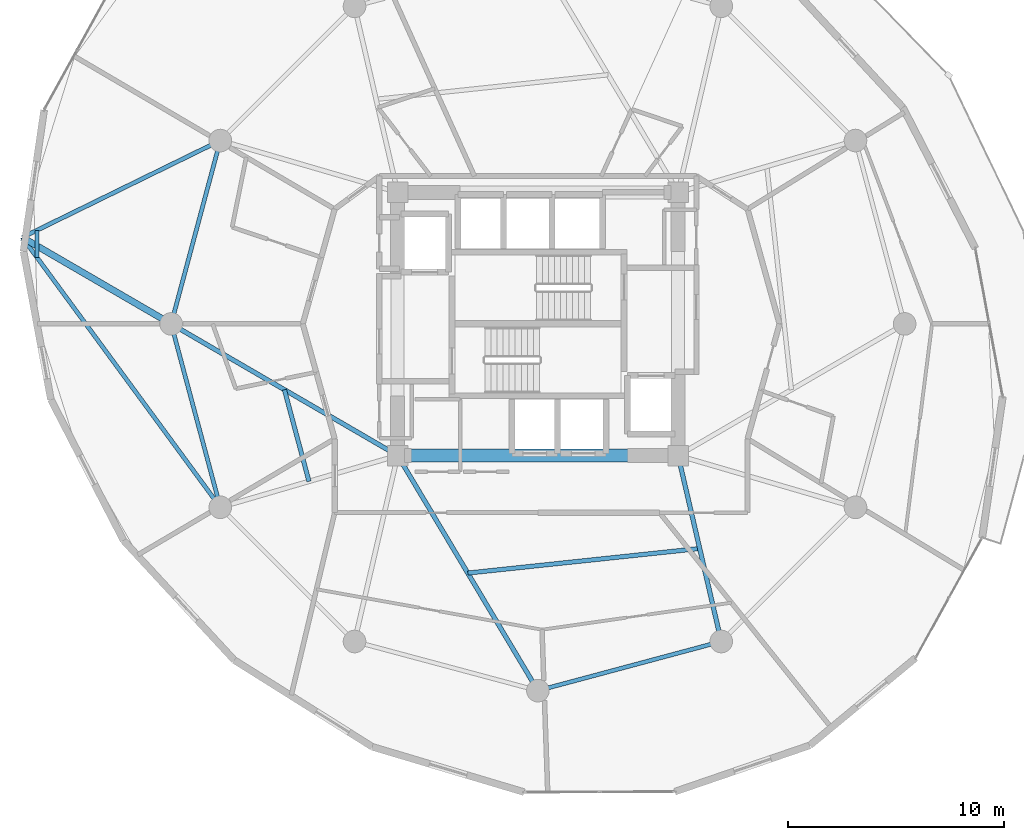
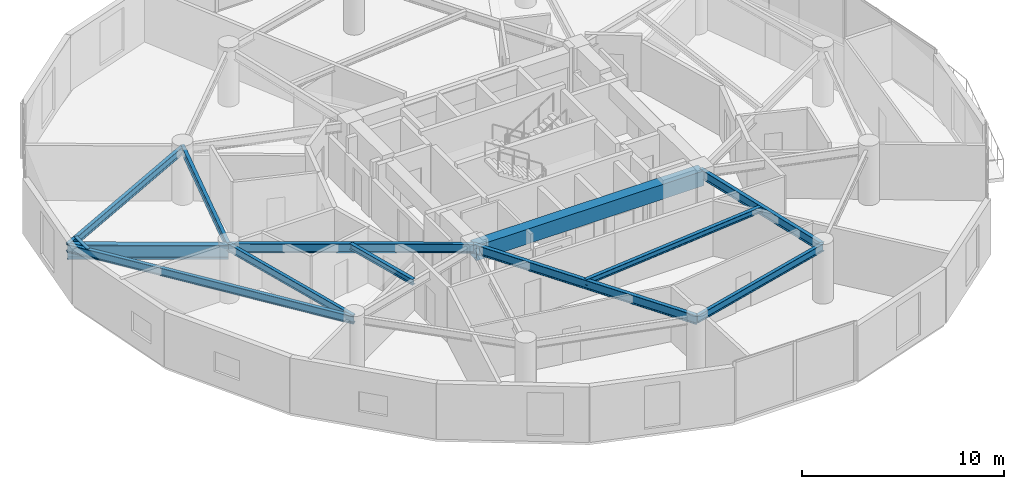
# One storey, part 3 of 21: 13 beams.
"""IFC4 building model written with IfcOpenShell, lengths in metres."""

import ifcopenshell
import ifcopenshell.guid

model = None  # the IFC model being written
_history = None  # IfcOwnerHistory: only IFC2X3 demands one
_inside = {}  # id of a spatial element -> (the spatial element, [elements in it])
_under = {}  # id of a project, library or spatial element -> (it, [spatial elements below it])
_declared = {}  # id of a project -> (the project, [libraries it declares])
_typed = {}  # id of a type object -> (the type object, [elements of that type])
_made_of = {}  # id of a material, layer set ... -> (it, [elements and type objects made of it])


def new_model(schema):
    """Start an empty IFC model of exactly this schema.

    Asked for "IFC4X3", IfcOpenShell would pick the latest addendum, in which some entities
    have other attributes; the version numbers below select the first issue.
    IFC2X3 requires an IfcOwnerHistory on every rooted entity: one is made here for all.
    """
    global model, _history
    if schema == "IFC4X3":
        model = ifcopenshell.file(schema_version=(4, 3, 0, 0))
    else:
        model = ifcopenshell.file(schema=schema)
    _inside.clear()
    _under.clear()
    _declared.clear()
    _typed.clear()
    _made_of.clear()
    _history = None
    if model.schema == "IFC2X3":
        org = make("IfcOrganization", Name="unknown")
        user = make(
            "IfcPersonAndOrganization",
            ThePerson=make("IfcPerson", FamilyName="unknown"),
            TheOrganization=org,
        )
        app = make(
            "IfcApplication",
            ApplicationDeveloper=org,
            Version="unknown",
            ApplicationFullName="unknown",
            ApplicationIdentifier="unknown",
        )
        _history = make(
            "IfcOwnerHistory",
            OwningUser=user,
            OwningApplication=app,
            ChangeAction="ADDED",
            CreationDate=0,
        )
    return model


def make(cls, **values):
    """One entity of the class cls with the attributes given. An attribute that is None is left unset."""
    return model.create_entity(
        cls, **{name: value for name, value in values.items() if value is not None}
    )


def rooted(cls, **values):
    """An entity with a GlobalId (a new one), such as an element, a storey or a relation."""
    return make(cls, GlobalId=ifcopenshell.guid.new(), OwnerHistory=_history, **values)


def si_unit(unit_type, name, prefix=None):
    """IfcSIUnit, for example si_unit("LENGTHUNIT", "METRE", prefix="MILLI")."""
    return make("IfcSIUnit", UnitType=unit_type, Prefix=prefix, Name=name)


def assignment(units):
    """IfcUnitAssignment: the units of a project."""
    return None if units is None else make("IfcUnitAssignment", Units=units)


def point(xyz):
    """IfcCartesianPoint."""
    return None if xyz is None else make("IfcCartesianPoint", Coordinates=xyz)


def direction(xyz):
    """IfcDirection."""
    return None if xyz is None else make("IfcDirection", DirectionRatios=xyz)


def frame(location, z_axis=None, x_axis=None):
    """IfcAxis2Placement3D, a coordinate frame: its origin and axes. An axis left out is left unset."""
    return make(
        "IfcAxis2Placement3D",
        Location=point(location),
        Axis=direction(z_axis),
        RefDirection=direction(x_axis),
    )


def frame_2d(location, x_axis=None):
    """IfcAxis2Placement2D, a coordinate frame in the plane: its origin and x axis."""
    return make(
        "IfcAxis2Placement2D", Location=point(location), RefDirection=direction(x_axis)
    )


def origin():
    """The frame at (0, 0, 0) with its axes left unset."""
    return frame((0.0, 0.0, 0.0))


def origin_2d():
    """The frame at (0, 0) in the plane with its x axis left unset."""
    return frame_2d((0.0, 0.0))


def place(relative_to, where):
    """IfcLocalPlacement: puts the frame where relative to a parent placement (None: the world)."""
    return make(
        "IfcLocalPlacement", PlacementRelTo=relative_to, RelativePlacement=where
    )


def context(
    kind, dimensions, precision=None, world=None, true_north=None, identifier=None
):
    """IfcGeometricRepresentationContext, for example the 3D "Model" context."""
    return make(
        "IfcGeometricRepresentationContext",
        ContextIdentifier=identifier,
        ContextType=kind,
        CoordinateSpaceDimension=dimensions,
        Precision=precision,
        WorldCoordinateSystem=world,
        TrueNorth=true_north,
    )


def subcontext(parent, identifier, kind, view, scale=None):
    """IfcGeometricRepresentationSubContext, for example "Body" below "Model"."""
    return make(
        "IfcGeometricRepresentationSubContext",
        ContextIdentifier=identifier,
        ContextType=kind,
        ParentContext=parent,
        TargetScale=scale,
        TargetView=view,
    )


def project(units=None, contexts=None):
    """IfcProject with its units and contexts."""
    return rooted(
        "IfcProject",
        Name="project",
        RepresentationContexts=contexts,
        UnitsInContext=assignment(units),
    )


def spatial(cls, under=None, at=None, **own):
    """A site, building, storey or space (cls), placed at a placement, below another one or the project."""
    s = rooted(cls, ObjectPlacement=at, **own)
    if under is not None:
        _under.setdefault(under.id(), (under, []))[1].append(s)
    return s


def profile(cls, at=None, kind="AREA", **sizes):
    """A parametric profile (cls). Its sizes go by their IFC names, for example OverallWidth=200.0."""
    return make(cls, ProfileType=kind, Position=at, **sizes)


def rectangle(**sizes):
    """IfcRectangleProfileDef."""
    return profile("IfcRectangleProfileDef", **sizes)


def i_section(**sizes):
    """IfcIShapeProfileDef."""
    return profile("IfcIShapeProfileDef", **sizes)


def extrude(swept, where, along, depth):
    """IfcExtrudedAreaSolid: the profile swept, set in the frame where, extruded along a direction by depth."""
    return make(
        "IfcExtrudedAreaSolid",
        SweptArea=swept,
        Position=where,
        ExtrudedDirection=direction(along),
        Depth=depth,
    )


def shape(context_of_items, identifier, shape_type, items):
    """IfcShapeRepresentation: the items that make up one representation, for example the "Body"."""
    return make(
        "IfcShapeRepresentation",
        ContextOfItems=context_of_items,
        RepresentationIdentifier=identifier,
        RepresentationType=shape_type,
        Items=items,
    )


def material(Name=None, Category=None):
    """IfcMaterial."""
    return make("IfcMaterial", Name=Name, Category=Category)


def material_profile(
    of_material, cross_section, Name=None, Category=None, Priority=None
):
    """IfcMaterialProfile: a cross section and its material."""
    return make(
        "IfcMaterialProfile",
        Name=Name,
        Material=of_material,
        Profile=cross_section,
        Priority=Priority,
        Category=Category,
    )


def profile_set(profiles, Name=None, composite=None):
    """IfcMaterialProfileSet."""
    return make(
        "IfcMaterialProfileSet",
        Name=Name,
        MaterialProfiles=profiles,
        CompositeProfile=composite,
    )


def made_of(thing, what):
    """Note that an element or type object is made of a material, layer set ...; save() writes the relation."""
    if what is not None:
        _made_of.setdefault(what.id(), (what, []))[1].append(thing)
    return thing


def type_object(cls, material=None, **own):
    """A type object (cls), such as IfcWallType, which elements share."""
    return made_of(rooted(cls, **own), material)


def element(
    cls,
    number,
    at=None,
    inside=None,
    cuts=None,
    type_object=None,
    material=None,
    context=None,
    identifier="Body",
    shape_type=None,
    held_by="IfcProductDefinitionShape",
    body=None,
    shapes=None,
    **own,
):
    """One element of the class cls, such as IfcWall. Its Tag is "e" and its number.

    at: its placement. inside: the storey or other place that contains it. cuts: it is an
    opening in that element (IfcRelVoidsElement). A single representation is given by context,
    identifier, shape_type and body (its items); several are given by shapes. held_by: the class
    of the entity that holds the representations. save() writes the other relations.
    """
    e = rooted(cls, Tag="e%d" % number, ObjectPlacement=at, **own)
    if body is not None:
        shapes = [shape(context, identifier, shape_type, body)]
    if shapes is not None:
        e.Representation = make(held_by, Representations=shapes)
    if inside is not None:
        _inside.setdefault(inside.id(), (inside, []))[1].append(e)
    if cuts is not None:
        rooted(
            "IfcRelVoidsElement", RelatingBuildingElement=cuts, RelatedOpeningElement=e
        )
    if type_object is not None:
        _typed.setdefault(type_object.id(), (type_object, []))[1].append(e)
    return made_of(e, material)


def aggregate(whole, parts):
    """IfcRelAggregates: a whole, such as a stair, and the parts it consists of."""
    return rooted("IfcRelAggregates", RelatingObject=whole, RelatedObjects=parts)


def save(model, path):
    """Write the relations noted so far, then the file.

    IfcRelAggregates (storeys below a building ...), IfcRelContainedInSpatialStructure (elements
    in a storey), IfcRelDefinesByType, IfcRelAssociatesMaterial and IfcRelDeclares: one each for
    every whole, place, type object, material and project.
    """
    for whole, parts in _under.values():
        aggregate(whole, parts)
    for where, things in _inside.values():
        rooted(
            "IfcRelContainedInSpatialStructure",
            RelatedElements=things,
            RelatingStructure=where,
        )
    for kind, things in _typed.values():
        rooted("IfcRelDefinesByType", RelatedObjects=things, RelatingType=kind)
    for what, things in _made_of.values():
        rooted("IfcRelAssociatesMaterial", RelatedObjects=things, RelatingMaterial=what)
    for by, libraries in _declared.values():
        rooted("IfcRelDeclares", RelatingContext=by, RelatedDefinitions=libraries)
    model.write(path)


model = new_model("IFC4")

# Units and contexts
model_context = context("Model", 3, precision=1e-05, world=origin(), true_north=direction((0.0, 1.0)))
body_context = subcontext(model_context, "Body", "Model", "MODEL_VIEW")
ifc_project = project(units=[si_unit("LENGTHUNIT", "METRE"), si_unit("AREAUNIT", "SQUARE_METRE"), si_unit("VOLUMEUNIT", "CUBIC_METRE"), si_unit("PLANEANGLEUNIT", "RADIAN"), si_unit("MASSUNIT", "GRAM", prefix="KILO")], contexts=[model_context])

# Site, building, storey
site_placement = place(None, origin())
site = spatial("IfcSite", under=ifc_project, at=site_placement, CompositionType="ELEMENT")
building_placement = place(site_placement, origin())
building = spatial("IfcBuilding", under=site, at=building_placement, Name="Solvirekh Grand Hotel", CompositionType="ELEMENT")
storey_placement = place(building_placement, frame((0.0, 0.0, 131.39990234375)))
storey = spatial("IfcBuildingStorey", under=building, at=storey_placement, Name="L33", CompositionType="ELEMENT", Elevation=131.39990234375)

# Beams
ifc_material_1 = material(Name="Concrete C50/60", Category="concrete")
ifc_material_profile_1 = material_profile(ifc_material_1, rectangle(XDim=0.60009765625, YDim=0.89990234375, at=origin_2d()), Name="RC BEAM 600X900")
ifc_profile_set_1 = profile_set([ifc_material_profile_1], Name="Concrete C50/60")
beam_type_1 = type_object("IfcBeamType", Name="Beam_Core_RC900", PredefinedType="BEAM", material=ifc_profile_set_1)
beam_1_placement = place(storey_placement, frame((-6.5, -6.10009765625, 2.900146484375), z_axis=(1.0, 0.0, 0.0), x_axis=(0.0, 1.0, 0.0)))
element("IfcBeam", 1, at=beam_1_placement, inside=storey, type_object=beam_type_1, Name="L33 core coupling ring beam 1", PredefinedType="BEAM", context=body_context, shape_type="SweptSolid", body=[
    extrude(rectangle(XDim=0.60009765625, YDim=0.89990234375, at=origin_2d()), origin(), (0.0, 0.0, 1.0), 13.0),
])
ifc_material_2 = material(Name="Steel S460", Category="steel")
ifc_material_profile_2 = material_profile(ifc_material_2, i_section(OverallWidth=0.302001953125, OverallDepth=0.85498046875, WebThickness=0.01904296875, FlangeThickness=0.032958984375, FilletRadius=0.01806640625, at=origin_2d()), Name="W840X299")
ifc_profile_set_2 = profile_set([ifc_material_profile_2], Name="Steel S460")
beam_type_2 = type_object("IfcBeamType", Name="Beam_PoolTie_W840", PredefinedType="BEAM", material=ifc_profile_set_2)
beam_2_placement = place(storey_placement, frame((-17.0, 0.0, 2.862060546875), z_axis=(-0.864645346025, 0.502382748109, 0.0), x_axis=(-0.502382748109, -0.864645346025, 0.0)))
element("IfcBeam", 2, at=beam_2_placement, inside=storey, type_object=beam_type_2, Name="L34 sky-garden primary cantilever bracket", PredefinedType="BEAM", context=body_context, shape_type="SweptSolid", body=[
    extrude(i_section(OverallWidth=0.302001953125, OverallDepth=0.85498046875, WebThickness=0.01904296875, FlangeThickness=0.032958984375, FilletRadius=0.01806640625, at=origin_2d()), origin(), (0.0, 0.0, 1.0), 7.97998046875),
])
ifc_material_3 = material(Name="Steel S355", Category="steel")
ifc_material_profile_3 = material_profile(ifc_material_3, i_section(OverallWidth=0.194091796875, OverallDepth=0.468994140625, WebThickness=0.010986328125, FlangeThickness=0.01904296875, FilletRadius=0.012939453125, at=origin_2d()), Name="W460X106")
ifc_profile_set_3 = profile_set([ifc_material_profile_3], Name="Steel S355")
beam_type_3 = type_object("IfcBeamType", Name="Beam_Radial_W460H", PredefinedType="BEAM", material=ifc_profile_set_3)
beam_3_placement = place(storey_placement, frame((-14.721923828125, 8.5, 3.05615234375), z_axis=(-0.898231574305, -0.439522512418, 0.0), x_axis=(0.439522512418, -0.898231574305, 0.0)))
element("IfcBeam", 3, at=beam_3_placement, inside=storey, type_object=beam_type_3, Name="L34 sky-garden edge tie beam 1", PredefinedType="BEAM", context=body_context, shape_type="SweptSolid", body=[
    extrude(i_section(OverallWidth=0.194091796875, OverallDepth=0.468994140625, WebThickness=0.010986328125, FlangeThickness=0.01904296875, FilletRadius=0.012939453125, at=origin_2d()), origin(), (0.0, 0.0, 1.0), 10.2177734375),
])
beam_4_placement = place(storey_placement, frame((-14.721923828125, -8.5, 3.05615234375), z_axis=(-0.591560117571, 0.806260892825, 0.0), x_axis=(-0.806260892825, -0.591560117571, 0.0)))
element("IfcBeam", 4, at=beam_4_placement, inside=storey, type_object=beam_type_3, Name="L34 sky-garden edge tie beam 2", PredefinedType="BEAM", context=body_context, shape_type="SweptSolid", body=[
    extrude(i_section(OverallWidth=0.194091796875, OverallDepth=0.468994140625, WebThickness=0.010986328125, FlangeThickness=0.01904296875, FilletRadius=0.012939453125, at=origin_2d()), origin(), (0.0, 0.0, 1.0), 15.514892578125),
])
beam_5_placement = place(storey_placement, frame((-23.22509765625, 4.339111328125, 3.05615234375), z_axis=(0.0, -1.0, 0.0), x_axis=(1.0, 0.0, 0.0)))
element("IfcBeam", 5, at=beam_5_placement, inside=storey, type_object=beam_type_3, Name="L34 sky-garden outer cross trimmer", PredefinedType="BEAM", context=body_context, shape_type="SweptSolid", body=[
    extrude(i_section(OverallWidth=0.194091796875, OverallDepth=0.468994140625, WebThickness=0.010986328125, FlangeThickness=0.01904296875, FilletRadius=0.012939453125, at=origin_2d()), origin(), (0.0, 0.0, 1.0), 1.25),
])
ifc_material_profile_4 = material_profile(ifc_material_3, i_section(OverallWidth=0.2119140625, OverallDepth=0.5439453125, WebThickness=0.011962890625, FlangeThickness=0.01904296875, FilletRadius=0.013916015625, at=origin_2d()), Name="W530X123")
ifc_profile_set_4 = profile_set([ifc_material_profile_4], Name="Steel S355")
beam_type_4 = type_object("IfcBeamType", Name="Beam_Radial_W530H", PredefinedType="BEAM", material=ifc_profile_set_4)
beam_6_placement = place(storey_placement, frame((-6.5, -6.10009765625, 3.078125), z_axis=(-0.864670076815, 0.50234018181, 0.0), x_axis=(-0.50234018181, -0.864670076815, 0.0)))
element("IfcBeam", 6, at=beam_6_placement, inside=storey, type_object=beam_type_4, Name="L33 radial floor beam R07", PredefinedType="BEAM", context=body_context, shape_type="SweptSolid", body=[
    extrude(i_section(OverallWidth=0.2119140625, OverallDepth=0.5439453125, WebThickness=0.011962890625, FlangeThickness=0.01904296875, FilletRadius=0.013916015625, at=origin_2d()), origin(), (0.0, 0.0, 1.0), 12.143310546875),
])
beam_7_placement = place(storey_placement, frame((-6.5, -6.10009765625, 3.078125), z_axis=(0.512179721377, -0.858878299301, 0.0), x_axis=(0.858878299301, 0.512179721377, 0.0)))
element("IfcBeam", 7, at=beam_7_placement, inside=storey, type_object=beam_type_4, Name="L33 radial floor beam R10", PredefinedType="BEAM", context=body_context, shape_type="SweptSolid", body=[
    extrude(i_section(OverallWidth=0.2119140625, OverallDepth=0.5439453125, WebThickness=0.011962890625, FlangeThickness=0.01904296875, FilletRadius=0.013916015625, at=origin_2d()), origin(), (0.0, 0.0, 1.0), 12.69091796875),
])
beam_8_placement = place(storey_placement, frame((6.5, -6.10009765625, 3.078125), z_axis=(0.225969390542, -0.974134402707, 0.0), x_axis=(0.974134402707, 0.225969390542, 0.0)))
element("IfcBeam", 8, at=beam_8_placement, inside=storey, type_object=beam_type_4, Name="L33 radial floor beam R11", PredefinedType="BEAM", context=body_context, shape_type="SweptSolid", body=[
    extrude(i_section(OverallWidth=0.2119140625, OverallDepth=0.5439453125, WebThickness=0.011962890625, FlangeThickness=0.01904296875, FilletRadius=0.013916015625, at=origin_2d()), origin(), (0.0, 0.0, 1.0), 8.850830078125),
])
ifc_material_profile_5 = material_profile(ifc_material_3, i_section(OverallWidth=0.2041015625, OverallDepth=0.35009765625, WebThickness=0.009033203125, FlangeThickness=0.014892578125, FilletRadius=0.010986328125, at=origin_2d()), Name="W360X72")
ifc_profile_set_5 = profile_set([ifc_material_profile_5], Name="Steel S355")
beam_type_5 = type_object("IfcBeamType", Name="Joist_Floor_W360", PredefinedType="JOIST", material=ifc_profile_set_5)
beam_9_placement = place(storey_placement, frame((-11.75, -3.050048828125, 3.175048828125), z_axis=(0.258847024572, -0.965918328778, 0.0), x_axis=(0.965918328778, 0.258847024572, 0.0)))
element("IfcBeam", 9, at=beam_9_placement, inside=storey, type_object=beam_type_5, Name="L33 secondary composite floor joist 7", PredefinedType="JOIST", context=body_context, shape_type="SweptSolid", body=[
    extrude(i_section(OverallWidth=0.2041015625, OverallDepth=0.35009765625, WebThickness=0.009033203125, FlangeThickness=0.014892578125, FilletRadius=0.010986328125, at=origin_2d()), origin(), (0.0, 0.0, 1.0), 4.39990234375),
])
beam_10_placement = place(storey_placement, frame((-3.25, -11.550048828125, 3.175048828125), z_axis=(0.994432198761, 0.105378375714, 0.0), x_axis=(-0.105378375714, 0.994432198761, 0.0)))
element("IfcBeam", 10, at=beam_10_placement, inside=storey, type_object=beam_type_5, Name="L33 secondary composite floor joist 10", PredefinedType="JOIST", context=body_context, shape_type="SweptSolid", body=[
    extrude(i_section(OverallWidth=0.2041015625, OverallDepth=0.35009765625, WebThickness=0.009033203125, FlangeThickness=0.014892578125, FilletRadius=0.010986328125, at=origin_2d()), origin(), (0.0, 0.0, 1.0), 10.810302734375),
])
ifc_material_profile_6 = material_profile(ifc_material_3, i_section(OverallWidth=0.18994140625, OverallDepth=0.45703125, WebThickness=0.009033203125, FlangeThickness=0.013916015625, FilletRadius=0.012939453125, at=origin_2d()), Name="W460X74")
ifc_profile_set_6 = profile_set([ifc_material_profile_6], Name="Steel S355")
beam_type_6 = type_object("IfcBeamType", Name="Spandrel_Ring_W460", PredefinedType="SPANDREL", material=ifc_profile_set_6)
for number, where, z_axis, x_axis, name in (
    (11, (-14.721923828125, 8.5, 3.1220703125), (-0.258872908946, -0.965911391906, 0.0), (0.965911391906, -0.258872908946, 0.0), "L33 perimeter spandrel beam 6"),
    (12, (-17.0, 0.0, 3.1220703125), (0.258872908946, -0.965911391906, 0.0), (0.965911391906, 0.258872908946, 0.0), "L33 perimeter spandrel beam 7"),
    (13, (0.0, -17.0, 3.1220703125), (0.965911391906, 0.258872908946, 0.0), (-0.258872908946, 0.965911391906, 0.0), "L33 perimeter spandrel beam 10"),
):
    element("IfcBeam", number, at=place(storey_placement, frame(where, z_axis=z_axis, x_axis=x_axis)), inside=storey, type_object=beam_type_6, Name=name, PredefinedType="SPANDREL", context=body_context, shape_type="SweptSolid", body=[
        extrude(i_section(OverallWidth=0.18994140625, OverallDepth=0.45703125, WebThickness=0.009033203125, FlangeThickness=0.013916015625, FilletRadius=0.012939453125, at=origin_2d()), origin(), (0.0, 0.0, 1.0), 8.800048828125),
    ])

save(model, "model.ifc")
